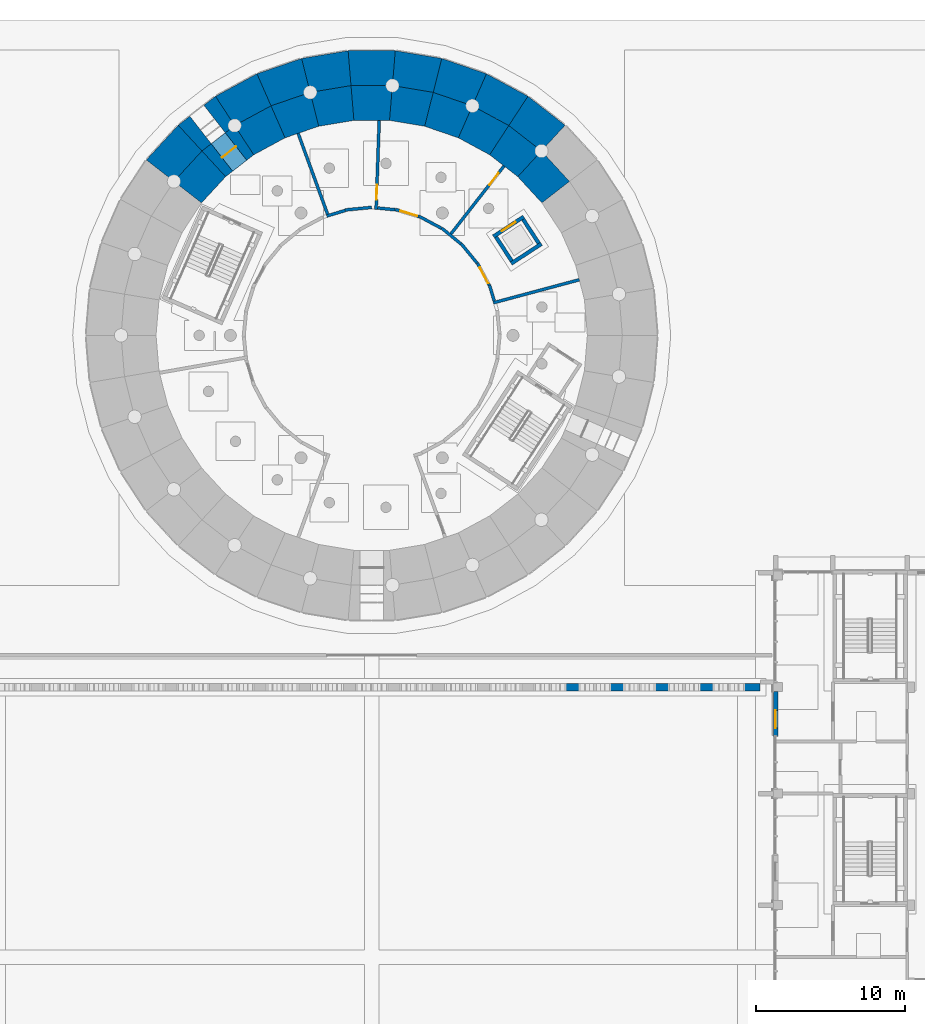
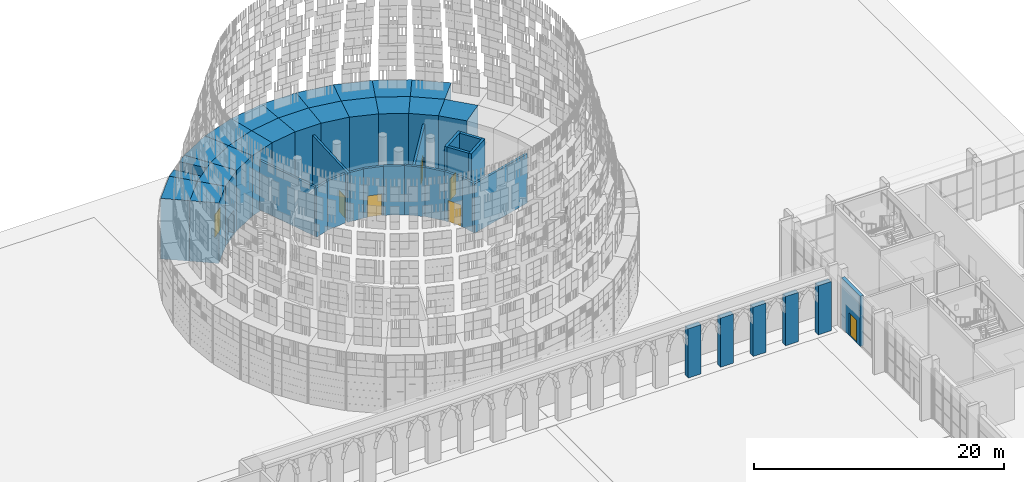
# One storey, part 58 of 125: 45 walls, 7 doors, 7 openings.
"""IFC4 building model written with IfcOpenShell, lengths in metres."""

from ifc_helpers import new_model, si_unit, direction, frame, frame_2d, origin, place, context, subcontext, project, spatial, polyline, rectangle, outline, extrude, material, layer, layer_set, type_object, element, fill, save


model = new_model("IFC4")

# Units and contexts
model_context = context("Model", 3, precision=1e-05, world=origin(), true_north=direction((0.0, 1.0)))
body_context = subcontext(model_context, "Body", "Model", "MODEL_VIEW")
ifc_project = project(units=[si_unit("LENGTHUNIT", "METRE"), si_unit("AREAUNIT", "SQUARE_METRE"), si_unit("VOLUMEUNIT", "CUBIC_METRE"), si_unit("PLANEANGLEUNIT", "RADIAN"), si_unit("MASSUNIT", "GRAM", prefix="KILO")], contexts=[model_context])

# Site, building, storey
site_placement = place(None, origin())
site = spatial("IfcSite", under=ifc_project, at=site_placement, CompositionType="ELEMENT")
building_placement = place(site_placement, origin())
building = spatial("IfcBuilding", under=site, at=building_placement, Name="Sun Court Science Centre", CompositionType="ELEMENT")
storey_placement = place(building_placement, origin())
storey = spatial("IfcBuildingStorey", under=building, at=storey_placement, Name="L00", CompositionType="ELEMENT", Elevation=0.0)

# Walls
ifc_material_1 = material(Name="Concrete C30/37", Category="concrete")
ifc_layer_1 = layer(ifc_material_1, 0.5)
ifc_layer_set_1 = layer_set([ifc_layer_1], Name="Concrete C30/37")
wall_type_1 = type_object("IfcWallType", Name="Arcade pier 500 reinforced", PredefinedType="SOLIDWALL", material=ifc_layer_set_1)
for number, where, z_axis, x_axis, name in (
    (1, (63.89990234375, 73.14990234375, 0.0), (0.0, 0.0, 1.0), (1.0, 0.0, 0.0), "Arcade pier AR2 14"),
    (2, (66.89990234375, 73.14990234375, 0.0), (0.0, 0.0, 1.0), (1.0, 0.0, 0.0), "Arcade pier AR2 15"),
    (3, (69.89990234375, 73.14990234375, 0.0), (0.0, 0.0, 1.0), (1.0, 0.0, 0.0), "Arcade pier AR2 16"),
    (4, (72.89990234375, 73.14990234375, 0.0), (0.0, 0.0, 1.0), (1.0, 0.0, 0.0), "Arcade pier AR2 17"),
    (5, (75.89990234375, 73.14990234375, 0.0), (0.0, 0.0, 1.0), (1.0, 0.0, 0.0), "Arcade pier AR2 18"),
):
    element("IfcWall", number, at=place(storey_placement, frame(where, z_axis=z_axis, x_axis=x_axis)), inside=storey, type_object=wall_type_1, Name=name, PredefinedType="SOLIDWALL", context=body_context, shape_type="SweptSolid", body=[
        extrude(rectangle(XDim=1.2001953125, YDim=0.5, at=frame_2d((0.60009765625, 0.0))), origin(), (0.0, 0.0, 1.0), 4.800048828125),
    ])

# Wall, opening, door
ifc_material_2 = material(Name="Clay masonry", Category="masonry")
ifc_layer_2 = layer(ifc_material_2, 0.300048828125)
ifc_layer_set_2 = layer_set([ifc_layer_2], Name="Clay masonry")
wall_type_2 = type_object("IfcWallType", Name="Clay masonry infill wall 300", PredefinedType="SOLIDWALL", material=ifc_layer_set_2)
wall_1_placement = place(storey_placement, frame((78.14990234375, 69.840087890625, 0.0), z_axis=(0.0, 0.0, 1.0), x_axis=(0.0, 1.0, 0.0)))
wall_1 = element("IfcWall", 6, at=wall_1_placement, inside=storey, type_object=wall_type_2, Name="External infill wall L00 west face 06", PredefinedType="SOLIDWALL", context=body_context, shape_type="SweptSolid", body=[
    extrude(rectangle(XDim=3.010009765625, YDim=0.300048828125, at=frame_2d((1.5048828125, 0.0))), origin(), (0.0, 0.0, 1.0), 4.89990234375),
])
opening_1_placement = place(wall_1_placement, frame((0.56005859375, 0.0, 0.0)))
opening_1 = element("IfcOpeningElement", 7, at=opening_1_placement, cuts=wall_1, Name="Opening D-L00-066", PredefinedType="OPENING", context=body_context, shape_type="SweptSolid", body=[
    extrude(rectangle(XDim=1.199951171875, YDim=2.199951171875, at=frame_2d((0.60009765625, 1.10009765625))), frame((0.0, 0.159912109375, 0.0), z_axis=(0.0, -1.0, 0.0), x_axis=(1.0, 0.0, 0.0)), (0.0, 0.0, 1.0), 0.320068359375),
])
ifc_material_3 = material(Name="Steel and glass", Category="steel")
door_type_1 = type_object("IfcDoorType", Name="Exterior door 1200 x 2200 single", OperationType="SINGLE_SWING_LEFT", PredefinedType="DOOR", material=ifc_material_3)
door_1_placement = place(opening_1_placement, origin())
door_1 = element("IfcDoor", 8, at=door_1_placement, inside=storey, type_object=door_type_1, Name="Exterior door D-L00-066 to the sun court", OperationType="SINGLE_SWING_LEFT", OverallHeight=2.199951171875, OverallWidth=1.199951171875, PredefinedType="DOOR", context=body_context, shape_type="SweptSolid", body=[
    extrude(rectangle(XDim=1.199951171875, YDim=2.199951171875, at=frame_2d((0.60009765625, 1.10009765625))), frame((0.0, 0.02490234375, 0.0), z_axis=(0.0, -1.0, 0.0), x_axis=(1.0, 0.0, 0.0)), (0.0, 0.0, 1.0), 0.050048828125),
])
fill(opening_1, door_1)

# Walls
ifc_material_4 = material(Name="Concrete block", Category="concrete")
ifc_layer_3 = layer(ifc_material_4, 0.199951171875)
ifc_layer_set_3 = layer_set([ifc_layer_3], Name="Concrete block")
wall_type_3 = type_object("IfcWallType", Name="Partition 200 block EI60", PredefinedType="PARTITIONING", material=ifc_layer_set_3)
wall_2_placement = place(storey_placement, frame((49.22216796875, 105.2294921875, 0.0), z_axis=(0.0, 0.0, 1.0), x_axis=(0.99518495891, 0.098014782354, 0.0)))
element("IfcWall", 9, at=wall_2_placement, inside=storey, type_object=wall_type_3, Name="L00 partition 001", PredefinedType="PARTITIONING", context=body_context, shape_type="SweptSolid", body=[
    extrude(rectangle(XDim=1.785888671875, YDim=0.199951171875, at=frame_2d((0.89306640625, 0.0))), origin(), (0.0, 0.0, 1.0), 4.800048828125),
])
wall_3_placement = place(storey_placement, frame((59.17529296875, 98.989013671875, 0.0), z_axis=(0.0, 0.0, 1.0), x_axis=(0.965923469749, 0.25882783967, 0.0)))
element("IfcWall", 10, at=wall_3_placement, inside=storey, type_object=wall_type_3, Name="L00 partition 003", PredefinedType="PARTITIONING", context=body_context, shape_type="SweptSolid", body=[
    extrude(rectangle(XDim=5.98486328125, YDim=0.199951171875, at=frame_2d((2.992431640625, 0.0))), origin(), (0.0, 0.0, 1.0), 4.800048828125),
])
wall_4_placement = place(storey_placement, frame((47.977783203125, 104.8212890625, 0.0), z_axis=(0.0, 0.0, 1.0), x_axis=(0.956954542429, 0.290237839924, 0.0)))
element("IfcWall", 11, at=wall_4_placement, inside=storey, type_object=wall_type_3, Name="L00 partition 005", PredefinedType="PARTITIONING", context=body_context, shape_type="SweptSolid", body=[
    extrude(rectangle(XDim=1.293701171875, YDim=0.199951171875, at=frame_2d((0.64697265625, 0.0))), origin(), (0.0, 0.0, 1.0), 4.800048828125),
])
wall_5_placement = place(storey_placement, frame((59.239013671875, 99.1142578125, 0.0), z_axis=(0.0, 0.0, 1.0), x_axis=(-0.290346168206, 0.956921680499, 0.0)))
element("IfcWall", 12, at=wall_5_placement, inside=storey, type_object=wall_type_3, Name="L00 partition 025", PredefinedType="PARTITIONING", context=body_context, shape_type="SweptSolid", body=[
    extrude(rectangle(XDim=1.1201171875, YDim=0.199951171875, at=frame_2d((0.56005859375, 0.0))), origin(), (0.0, 0.0, 1.0), 4.800048828125),
])

# Wall, opening, door
wall_6_placement = place(storey_placement, frame((58.89111328125, 100.19140625, 0.0), z_axis=(0.0, 0.0, 1.0), x_axis=(-0.471520219227, 0.881855250515, 0.0)))
wall_6 = element("IfcWall", 13, at=wall_6_placement, inside=storey, type_object=wall_type_3, Name="L00 partition 029", PredefinedType="PARTITIONING", context=body_context, shape_type="SweptSolid", body=[
    extrude(rectangle(XDim=1.671875, YDim=0.199951171875, at=frame_2d((0.8359375, 0.0))), origin(), (0.0, 0.0, 1.0), 4.800048828125),
])
opening_2_placement = place(wall_6_placement, frame((0.12939453125, 0.0, 0.0)))
opening_2 = element("IfcOpeningElement", 14, at=opening_2_placement, cuts=wall_6, Name="Opening D-L00-092", PredefinedType="OPENING", context=body_context, shape_type="SweptSolid", body=[
    extrude(rectangle(XDim=1.199951171875, YDim=2.10009765625, at=frame_2d((0.60009765625, 1.050048828125))), frame((0.0, 0.10986328125, 0.0), z_axis=(0.0, -1.0, 0.0), x_axis=(1.0, 0.0, 0.0)), (0.0, 0.0, 1.0), 0.219970703125),
])
ifc_material_5 = material(Name="Timber", Category="wood")
door_type_2 = type_object("IfcDoorType", Name="Door 1200x2100 single leaf", OperationType="NOTDEFINED", PredefinedType="DOOR", material=ifc_material_5)
door_2_placement = place(opening_2_placement, origin())
door_2 = element("IfcDoor", 15, at=door_2_placement, inside=storey, type_object=door_type_2, Name="Door D-L00-092", OperationType="SINGLE_SWING_RIGHT", OverallHeight=2.10009765625, OverallWidth=1.199951171875, PredefinedType="DOOR", context=body_context, shape_type="SweptSolid", body=[
    extrude(rectangle(XDim=1.199951171875, YDim=2.10009765625, at=frame_2d((0.60009765625, 1.050048828125))), frame((0.0, 0.02490234375, 0.0), z_axis=(0.0, -1.0, 0.0), x_axis=(1.0, 0.0, 0.0)), (0.0, 0.0, 1.0), 0.050048828125),
])
fill(opening_2, door_2)

# Wall
wall_7_placement = place(storey_placement, frame((58.077392578125, 101.6650390625, 0.0), z_axis=(0.0, 0.0, 1.0), x_axis=(-0.634350169953, 0.773045834269, 0.0)))
element("IfcWall", 16, at=wall_7_placement, inside=storey, type_object=wall_type_3, Name="L00 partition 031", PredefinedType="PARTITIONING", context=body_context, shape_type="SweptSolid", body=[
    extrude(rectangle(XDim=1.67236328125, YDim=0.199951171875, at=frame_2d((0.836181640625, 0.0))), origin(), (0.0, 0.0, 1.0), 4.800048828125),
])

# Wall, opening, door
ifc_material_6 = material(Name="Concrete block", Category="concrete")
ifc_layer_4 = layer(ifc_material_6, 0.199951171875)
ifc_layer_set_4 = layer_set([ifc_layer_4], Name="Concrete block")
wall_type_4 = type_object("IfcWallType", Name="Partition 200 projection room block EI180", PredefinedType="PARTITIONING", material=ifc_layer_set_4)
wall_8_placement = place(storey_placement, frame((56.330810546875, 103.626220703125, 0.0), z_axis=(0.0, 0.0, 1.0), x_axis=(0.615694810026, 0.787984708549, 0.0)))
wall_8 = element("IfcWall", 17, at=wall_8_placement, inside=storey, type_object=wall_type_4, Name="L00 partition 012", PredefinedType="PARTITIONING", context=body_context, shape_type="SweptSolid", body=[
    extrude(rectangle(XDim=5.78564453125, YDim=0.199951171875, at=frame_2d((2.892822265625, 0.0))), origin(), (0.0, 0.0, 1.0), 4.800048828125),
])
opening_3_placement = place(wall_8_placement, frame((4.184814453125, 0.0, 0.0)))
opening_3 = element("IfcOpeningElement", 18, at=opening_3_placement, cuts=wall_8, Name="Opening D-L00-094", PredefinedType="OPENING", context=body_context, shape_type="SweptSolid", body=[
    extrude(rectangle(XDim=1.0, YDim=2.10009765625, at=frame_2d((0.5, 1.050048828125))), frame((0.0, 0.10986328125, 0.0), z_axis=(0.0, -1.0, 0.0), x_axis=(1.0, 0.0, 0.0)), (0.0, 0.0, 1.0), 0.219970703125),
])
ifc_material_7 = material(Name="Steel", Category="steel")
door_type_3 = type_object("IfcDoorType", Name="Door 1000x2100 single leaf FD60", OperationType="NOTDEFINED", PredefinedType="DOOR", material=ifc_material_7)
door_3_placement = place(opening_3_placement, origin())
door_3 = element("IfcDoor", 19, at=door_3_placement, inside=storey, type_object=door_type_3, Name="Door D-L00-094", OperationType="SINGLE_SWING_LEFT", OverallHeight=2.10009765625, OverallWidth=1.0, PredefinedType="DOOR", context=body_context, shape_type="SweptSolid", body=[
    extrude(rectangle(XDim=1.0, YDim=2.10009765625, at=frame_2d((0.5, 1.050048828125))), frame((0.0, 0.02490234375, 0.0), z_axis=(0.0, -1.0, 0.0), x_axis=(1.0, 0.0, 0.0)), (0.0, 0.0, 1.0), 0.050048828125),
])
fill(opening_3, door_3)

wall_9_placement = place(storey_placement, frame((51.295654296875, 105.2705078125, 0.0), z_axis=(0.0, 0.0, 1.0), x_axis=(0.034906611571, 0.999390578537, 0.0)))
wall_9 = element("IfcWall", 20, at=wall_9_placement, inside=storey, type_object=wall_type_4, Name="L00 partition 022", PredefinedType="PARTITIONING", context=body_context, shape_type="SweptSolid", body=[
    extrude(rectangle(XDim=5.97998046875, YDim=0.199951171875, at=frame_2d((2.989990234375, 0.0))), origin(), (0.0, 0.0, 1.0), 4.800048828125),
])
opening_4_placement = place(wall_9_placement, frame((0.652099609375, 0.0, 0.0)))
opening_4 = element("IfcOpeningElement", 21, at=opening_4_placement, cuts=wall_9, Name="Opening D-L00-095", PredefinedType="OPENING", context=body_context, shape_type="SweptSolid", body=[
    extrude(rectangle(XDim=1.0, YDim=2.10009765625, at=frame_2d((0.5, 1.050048828125))), frame((0.0, 0.10986328125, 0.0), z_axis=(0.0, -1.0, 0.0), x_axis=(1.0, 0.0, 0.0)), (0.0, 0.0, 1.0), 0.219970703125),
])
door_4_placement = place(opening_4_placement, origin())
door_4 = element("IfcDoor", 22, at=door_4_placement, inside=storey, type_object=door_type_3, Name="Door D-L00-095", OperationType="SINGLE_SWING_RIGHT", OverallHeight=2.10009765625, OverallWidth=1.0, PredefinedType="DOOR", context=body_context, shape_type="SweptSolid", body=[
    extrude(rectangle(XDim=1.0, YDim=2.10009765625, at=frame_2d((0.5, 1.050048828125))), frame((0.0, 0.02490234375, 0.0), z_axis=(0.0, -1.0, 0.0), x_axis=(1.0, 0.0, 0.0)), (0.0, 0.0, 1.0), 0.050048828125),
])
fill(opening_4, door_4)

# Walls
wall_10_placement = place(storey_placement, frame((56.992919921875, 102.953125, 0.0), z_axis=(0.0, 0.0, 1.0), x_axis=(-0.772939010432, 0.634480327632, 0.0)))
element("IfcWall", 23, at=wall_10_placement, inside=storey, type_object=wall_type_4, Name="L00 partition 033", PredefinedType="PARTITIONING", context=body_context, shape_type="SweptSolid", body=[
    extrude(rectangle(XDim=1.66796875, YDim=0.199951171875, at=frame_2d((0.833984375, 0.0))), origin(), (0.0, 0.0, 1.0), 4.800048828125),
])
wall_11_placement = place(storey_placement, frame((55.68115234375, 104.002685546875, 0.0), z_axis=(0.0, 0.0, 1.0), x_axis=(-0.881917050216, 0.471404620829, 0.0)))
element("IfcWall", 24, at=wall_11_placement, inside=storey, type_object=wall_type_4, Name="L00 partition 036", PredefinedType="PARTITIONING", context=body_context, shape_type="SweptSolid", body=[
    extrude(rectangle(XDim=1.676025390625, YDim=0.199951171875, at=frame_2d((0.837890625, 0.0))), origin(), (0.0, 0.0, 1.0), 4.800048828125),
])

# Wall, opening, door
wall_12_placement = place(storey_placement, frame((54.183837890625, 104.782958984375, 0.0), z_axis=(0.0, 0.0, 1.0), x_axis=(-0.956917522804, 0.290359870764, 0.0)))
wall_12 = element("IfcWall", 25, at=wall_12_placement, inside=storey, type_object=wall_type_4, Name="L00 partition 038", PredefinedType="PARTITIONING", context=body_context, shape_type="SweptSolid", body=[
    extrude(rectangle(XDim=1.67236328125, YDim=0.199951171875, at=frame_2d((0.836181640625, 0.0))), origin(), (0.0, 0.0, 1.0), 4.800048828125),
])
opening_5_placement = place(wall_12_placement, frame((0.130859375, 0.0, 0.0)))
opening_5 = element("IfcOpeningElement", 26, at=opening_5_placement, cuts=wall_12, Name="Opening D-L00-093", PredefinedType="OPENING", context=body_context, shape_type="SweptSolid", body=[
    extrude(rectangle(XDim=1.199951171875, YDim=2.10009765625, at=frame_2d((0.60009765625, 1.050048828125))), frame((0.0, 0.10986328125, 0.0), z_axis=(0.0, -1.0, 0.0), x_axis=(1.0, 0.0, 0.0)), (0.0, 0.0, 1.0), 0.219970703125),
])
ifc_material_8 = material(Name="Steel", Category="steel")
door_type_4 = type_object("IfcDoorType", Name="Door 1200x2100 single leaf FD60", OperationType="NOTDEFINED", PredefinedType="DOOR", material=ifc_material_8)
door_5_placement = place(opening_5_placement, origin())
door_5 = element("IfcDoor", 27, at=door_5_placement, inside=storey, type_object=door_type_4, Name="Door D-L00-093", OperationType="SINGLE_SWING_RIGHT", OverallHeight=2.10009765625, OverallWidth=1.199951171875, PredefinedType="DOOR", context=body_context, shape_type="SweptSolid", body=[
    extrude(rectangle(XDim=1.199951171875, YDim=2.10009765625, at=frame_2d((0.60009765625, 1.050048828125))), frame((0.0, 0.02490234375, 0.0), z_axis=(0.0, -1.0, 0.0), x_axis=(1.0, 0.0, 0.0)), (0.0, 0.0, 1.0), 0.050048828125),
])
fill(opening_5, door_5)

# Walls
wall_13_placement = place(storey_placement, frame((52.565673828125, 105.24560546875, 0.0), z_axis=(0.0, 0.0, 1.0), x_axis=(-0.995180736898, 0.098057640743, 0.0)))
element("IfcWall", 28, at=wall_13_placement, inside=storey, type_object=wall_type_4, Name="L00 partition 040", PredefinedType="PARTITIONING", context=body_context, shape_type="SweptSolid", body=[
    extrude(rectangle(XDim=1.170166015625, YDim=0.199951171875, at=frame_2d((0.5849609375, 0.0))), origin(), (0.0, 0.0, 1.0), 4.800048828125),
])
ifc_material_9 = material(Name="Gypsum board")
ifc_layer_5 = layer(ifc_material_9, 0.199951171875)
ifc_layer_set_5 = layer_set([ifc_layer_5], Name="Gypsum board")
wall_type_5 = type_object("IfcWallType", Name="Partition 200 stud EI30", PredefinedType="PARTITIONING", material=ifc_layer_set_5)
wall_14_placement = place(storey_placement, frame((48.032958984375, 104.947998046875, 0.0), z_axis=(0.0, 0.0, 1.0), x_axis=(-0.342007679722, 0.939697157073, 0.0)))
element("IfcWall", 29, at=wall_14_placement, inside=storey, type_object=wall_type_5, Name="L00 partition 028", PredefinedType="PARTITIONING", context=body_context, shape_type="SweptSolid", body=[
    extrude(rectangle(XDim=5.77783203125, YDim=0.199951171875, at=frame_2d((2.888916015625, 0.0))), origin(), (0.0, 0.0, 1.0), 4.800048828125),
])
ifc_material_10 = material(Name="Concrete C30/37", Category="concrete")
ifc_layer_6 = layer(ifc_material_10, 2.343017578125)
ifc_layer_set_6 = layer_set([ifc_layer_6], Name="Concrete C30/37")
wall_type_6 = type_object("IfcWallType", Name="RC drum wall exterior 2343", PredefinedType="SHEAR", material=ifc_layer_set_6)
wall_15_placement = place(storey_placement, frame((63.284423828125, 110.00146484375, -0.199951171875), z_axis=(0.0, 0.0, 1.0), x_axis=(-0.789136599695, 0.614217735841, 0.0)))
element("IfcWall", 30, at=wall_15_placement, inside=storey, type_object=wall_type_6, Name="Drum wall L00 course 1 segment 5", PredefinedType="SHEAR", context=body_context, shape_type="SweptSolid", body=[
    extrude(outline(polyline([(0.0, -1.17138671875), (3.171142578125, -1.17138671875), (2.97705078125, 1.171630859375), (0.194091796875, 1.17138671875), (0.0, -1.17138671875)])), origin(), (0.0, 0.0, 1.0), 5.89990234375),
])
wall_16_placement = place(storey_placement, frame((60.94384765625, 111.84326171875, -0.199951171875), z_axis=(0.0, 0.0, 1.0), x_axis=(-0.87946790064, 0.475958203778, 0.0)))
element("IfcWall", 31, at=wall_16_placement, inside=storey, type_object=wall_type_6, Name="Drum wall L00 course 1 segment 6", PredefinedType="SHEAR", context=body_context, shape_type="SweptSolid", body=[
    extrude(outline(polyline([(0.0, -1.17138671875), (3.1708984375, -1.17138671875), (2.976806640625, 1.17138671875), (0.194091796875, 1.17138671875), (0.0, -1.17138671875)])), origin(), (0.0, 0.0, 1.0), 5.89990234375),
])
wall_17_placement = place(storey_placement, frame((58.332275390625, 113.27490234375, -0.199951171875), z_axis=(0.0, 0.0, 1.0), x_axis=(-0.945827782453, 0.324668763419, 0.0)))
element("IfcWall", 32, at=wall_17_placement, inside=storey, type_object=wall_type_6, Name="Drum wall L00 course 1 segment 7", PredefinedType="SHEAR", context=body_context, shape_type="SweptSolid", body=[
    extrude(outline(polyline([(0.0, -1.17138671875), (3.171142578125, -1.171630859375), (2.97705078125, 1.17138671875), (0.194091796875, 1.17138671875), (0.0, -1.17138671875)])), origin(), (0.0, 0.0, 1.0), 5.89990234375),
])
wall_18_placement = place(storey_placement, frame((55.5205078125, 114.257080078125, -0.199951171875), z_axis=(0.0, 0.0, 1.0), x_axis=(-0.986358525791, 0.164611234731, 0.0)))
element("IfcWall", 33, at=wall_18_placement, inside=storey, type_object=wall_type_6, Name="Drum wall L00 course 1 segment 8", PredefinedType="SHEAR", context=body_context, shape_type="SweptSolid", body=[
    extrude(outline(polyline([(0.0, -1.17138671875), (3.171142578125, -1.171142578125), (2.976806640625, 1.171630859375), (0.194091796875, 1.17138671875), (0.0, -1.17138671875)])), origin(), (0.0, 0.0, 1.0), 5.89990234375),
])
wall_19_placement = place(storey_placement, frame((52.58544921875, 114.762939453125, -0.199951171875), z_axis=(0.0, 0.0, 1.0), x_axis=(-1.0, 0.0, 0.0)))
element("IfcWall", 34, at=wall_19_placement, inside=storey, type_object=wall_type_6, Name="Drum wall L00 course 1 segment 9", PredefinedType="SHEAR", context=body_context, shape_type="SweptSolid", body=[
    extrude(outline(polyline([(0.0, -1.17138671875), (3.1708984375, -1.17138671875), (2.976806640625, 1.17138671875), (0.194091796875, 1.17138671875), (0.0, -1.17138671875)])), origin(), (0.0, 0.0, 1.0), 5.89990234375),
])
wall_20_placement = place(storey_placement, frame((49.607177734375, 114.779052734375, -0.199951171875), z_axis=(0.0, 0.0, 1.0), x_axis=(-0.986358525791, -0.164611234731, 0.0)))
element("IfcWall", 35, at=wall_20_placement, inside=storey, type_object=wall_type_6, Name="Drum wall L00 course 1 segment 10", PredefinedType="SHEAR", context=body_context, shape_type="SweptSolid", body=[
    extrude(outline(polyline([(-0.000244140625, -1.171142578125), (3.1708984375, -1.17138671875), (2.976806640625, 1.17138671875), (0.194091796875, 1.171630859375), (-0.000244140625, -1.171142578125)])), origin(), (0.0, 0.0, 1.0), 5.89990234375),
])
wall_21_placement = place(storey_placement, frame((46.6669921875, 114.304443359375, -0.199951171875), z_axis=(0.0, 0.0, 1.0), x_axis=(-0.945827782453, -0.324668763419, 0.0)))
element("IfcWall", 36, at=wall_21_placement, inside=storey, type_object=wall_type_6, Name="Drum wall L00 course 1 segment 11", PredefinedType="SHEAR", context=body_context, shape_type="SweptSolid", body=[
    extrude(outline(polyline([(0.0, -1.171630859375), (3.171142578125, -1.17138671875), (2.976806640625, 1.17138671875), (0.194091796875, 1.17138671875), (0.0, -1.171630859375)])), origin(), (0.0, 0.0, 1.0), 5.89990234375),
])
wall_22_placement = place(storey_placement, frame((43.844970703125, 113.3525390625, -0.199951171875), z_axis=(0.0, 0.0, 1.0), x_axis=(-0.87946790064, -0.475958203778, 0.0)))
element("IfcWall", 37, at=wall_22_placement, inside=storey, type_object=wall_type_6, Name="Drum wall L00 course 1 segment 12", PredefinedType="SHEAR", context=body_context, shape_type="SweptSolid", body=[
    extrude(outline(polyline([(0.0, -1.17138671875), (3.171142578125, -1.17138671875), (2.976806640625, 1.17138671875), (0.194091796875, 1.17138671875), (0.0, -1.17138671875)])), origin(), (0.0, 0.0, 1.0), 5.89990234375),
])
wall_23_placement = place(storey_placement, frame((38.85791015625, 110.132568359375, -0.199951171875), z_axis=(0.0, 0.0, 1.0), x_axis=(-0.677243324002, -0.735759118254, 0.0)))
element("IfcWall", 38, at=wall_23_placement, inside=storey, type_object=wall_type_6, Name="Drum wall L00 course 1 segment 14", PredefinedType="SHEAR", context=body_context, shape_type="SweptSolid", body=[
    extrude(outline(polyline([(0.0, -1.17138671875), (3.1708984375, -1.171630859375), (2.97705078125, 1.17138671875), (0.194091796875, 1.171630859375), (0.0, -1.17138671875)])), origin(), (0.0, 0.0, 1.0), 5.89990234375),
])
wall_24_placement = place(storey_placement, frame((63.4345703125, 106.35546875, -0.199951171875), z_axis=(0.0, 0.0, 1.0), x_axis=(-0.677288370304, 0.735717651991, 0.0)))
element("IfcWall", 39, at=wall_24_placement, inside=storey, type_object=wall_type_6, Name="Drum wall L00 course 1 inner ring segment 4", PredefinedType="SHEAR", context=body_context, shape_type="SweptSolid", body=[
    extrude(outline(polyline([(0.0, -1.17138671875), (2.782958984375, -1.17138671875), (2.5888671875, 1.17138671875), (0.1943359375, 1.17138671875), (0.0, -1.17138671875)])), origin(), (0.0, 0.0, 1.0), 5.89990234375),
])
wall_25_placement = place(storey_placement, frame((61.692138671875, 108.27197265625, -0.199951171875), z_axis=(0.0, 0.0, 1.0), x_axis=(-0.789144316107, 0.614207821797, 0.0)))
element("IfcWall", 40, at=wall_25_placement, inside=storey, type_object=wall_type_6, Name="Drum wall L00 course 1 inner ring segment 5", PredefinedType="SHEAR", context=body_context, shape_type="SweptSolid", body=[
    extrude(outline(polyline([(0.0, -1.17138671875), (2.78271484375, -1.17138671875), (2.588623046875, 1.171630859375), (0.1943359375, 1.17138671875), (0.0, -1.17138671875)])), origin(), (0.0, 0.0, 1.0), 5.89990234375),
])
wall_26_placement = place(storey_placement, frame((59.657958984375, 109.875244140625, -0.199951171875), z_axis=(0.0, 0.0, 1.0), x_axis=(-0.87946337705, 0.4759665623, 0.0)))
element("IfcWall", 41, at=wall_26_placement, inside=storey, type_object=wall_type_6, Name="Drum wall L00 course 1 inner ring segment 6", PredefinedType="SHEAR", context=body_context, shape_type="SweptSolid", body=[
    extrude(outline(polyline([(0.0, -1.17138671875), (2.78271484375, -1.17138671875), (2.58837890625, 1.17138671875), (0.194091796875, 1.17138671875), (0.0, -1.17138671875)])), origin(), (0.0, 0.0, 1.0), 5.89990234375),
])
wall_27_placement = place(storey_placement, frame((57.387939453125, 111.1220703125, -0.199951171875), z_axis=(0.0, 0.0, 1.0), x_axis=(-0.945820527965, 0.324689896485, 0.0)))
element("IfcWall", 42, at=wall_27_placement, inside=storey, type_object=wall_type_6, Name="Drum wall L00 course 1 inner ring segment 7", PredefinedType="SHEAR", context=body_context, shape_type="SweptSolid", body=[
    extrude(outline(polyline([(0.0, -1.17138671875), (2.78271484375, -1.17138671875), (2.588623046875, 1.171630859375), (0.194091796875, 1.17138671875), (0.0, -1.17138671875)])), origin(), (0.0, 0.0, 1.0), 5.89990234375),
])
wall_28_placement = place(storey_placement, frame((54.943359375, 111.97802734375, -0.199951171875), z_axis=(0.0, 0.0, 1.0), x_axis=(-0.986348836235, 0.164669284498, 0.0)))
element("IfcWall", 43, at=wall_28_placement, inside=storey, type_object=wall_type_6, Name="Drum wall L00 course 1 inner ring segment 8", PredefinedType="SHEAR", context=body_context, shape_type="SweptSolid", body=[
    extrude(outline(polyline([(0.0, -1.17138671875), (2.782958984375, -1.171142578125), (2.588623046875, 1.17138671875), (0.194091796875, 1.17138671875), (0.0, -1.17138671875)])), origin(), (0.0, 0.0, 1.0), 5.89990234375),
])
wall_29_placement = place(storey_placement, frame((52.391357421875, 112.420166015625, -0.199951171875), z_axis=(0.0, 0.0, 1.0), x_axis=(-1.0, 0.0, 0.0)))
element("IfcWall", 44, at=wall_29_placement, inside=storey, type_object=wall_type_6, Name="Drum wall L00 course 1 inner ring segment 9", PredefinedType="SHEAR", context=body_context, shape_type="SweptSolid", body=[
    extrude(outline(polyline([(0.0, -1.17138671875), (2.78271484375, -1.17138671875), (2.588623046875, 1.17138671875), (0.194091796875, 1.17138671875), (0.0, -1.17138671875)])), origin(), (0.0, 0.0, 1.0), 5.89990234375),
])
wall_30_placement = place(storey_placement, frame((49.801513671875, 112.436279296875, -0.199951171875), z_axis=(0.0, 0.0, 1.0), x_axis=(-0.986348836235, -0.164669284498, 0.0)))
element("IfcWall", 45, at=wall_30_placement, inside=storey, type_object=wall_type_6, Name="Drum wall L00 course 1 inner ring segment 10", PredefinedType="SHEAR", context=body_context, shape_type="SweptSolid", body=[
    extrude(outline(polyline([(0.0, -1.171142578125), (2.78271484375, -1.17138671875), (2.5888671875, 1.17138671875), (0.1943359375, 1.17138671875), (0.0, -1.171142578125)])), origin(), (0.0, 0.0, 1.0), 5.89990234375),
])
wall_31_placement = place(storey_placement, frame((47.244140625, 112.025634765625, -0.199951171875), z_axis=(0.0, 0.0, 1.0), x_axis=(-0.945820527965, -0.324689896485, 0.0)))
element("IfcWall", 46, at=wall_31_placement, inside=storey, type_object=wall_type_6, Name="Drum wall L00 course 1 inner ring segment 11", PredefinedType="SHEAR", context=body_context, shape_type="SweptSolid", body=[
    extrude(outline(polyline([(0.0, -1.17138671875), (2.782958984375, -1.17138671875), (2.588623046875, 1.17138671875), (0.194091796875, 1.171630859375), (0.0, -1.17138671875)])), origin(), (0.0, 0.0, 1.0), 5.89990234375),
])
wall_32_placement = place(storey_placement, frame((44.789306640625, 111.19970703125, -0.199951171875), z_axis=(0.0, 0.0, 1.0), x_axis=(-0.87946337705, -0.4759665623, 0.0)))
element("IfcWall", 47, at=wall_32_placement, inside=storey, type_object=wall_type_6, Name="Drum wall L00 course 1 inner ring segment 12", PredefinedType="SHEAR", context=body_context, shape_type="SweptSolid", body=[
    extrude(outline(polyline([(0.0, -1.17138671875), (2.78271484375, -1.17138671875), (2.588623046875, 1.17138671875), (0.194091796875, 1.17138671875), (0.0, -1.17138671875)])), origin(), (0.0, 0.0, 1.0), 5.89990234375),
])
wall_33_placement = place(storey_placement, frame((40.4501953125, 108.40283203125, -0.199951171875), z_axis=(0.0, 0.0, 1.0), x_axis=(-0.677288370304, -0.735717651991, 0.0)))
element("IfcWall", 48, at=wall_33_placement, inside=storey, type_object=wall_type_6, Name="Drum wall L00 course 1 inner ring segment 14", PredefinedType="SHEAR", context=body_context, shape_type="SweptSolid", body=[
    extrude(outline(polyline([(0.0, -1.17138671875), (2.78271484375, -1.17138671875), (2.58837890625, 1.17138671875), (0.19384765625, 1.17138671875), (0.0, -1.17138671875)])), origin(), (0.0, 0.0, 1.0), 5.89990234375),
])

# Wall, opening, door
wall_34_placement = place(storey_placement, frame((40.307861328125, 108.27197265625, -0.199951171875), z_axis=(0.0, 0.0, 1.0), x_axis=(0.789144316107, 0.614207821797, 0.0)))
wall_34 = element("IfcWall", 49, at=wall_34_placement, inside=storey, type_object=wall_type_6, Name="Drum wall L00 course 1 segment 13", PredefinedType="SHEAR", context=body_context, shape_type="SweptSolid", body=[
    extrude(outline(polyline([(2.78271484375, 1.17138671875), (0.0, 1.17138671875), (0.1943359375, -1.17138671875), (2.588623046875, -1.171630859375), (2.78271484375, 1.17138671875)])), origin(), (0.0, 0.0, 1.0), 5.89990234375),
])
opening_6_placement = place(wall_34_placement, frame((0.791015625, 0.0, 0.199951171875)))
opening_6 = element("IfcOpeningElement", 50, at=opening_6_placement, cuts=wall_34, Name="Opening D-L00-098", PredefinedType="OPENING", context=body_context, shape_type="SweptSolid", body=[
    extrude(rectangle(XDim=1.199951171875, YDim=2.199951171875, at=frame_2d((0.60009765625, 1.10009765625))), frame((0.0, 1.181396484375, 0.0), z_axis=(0.0, -1.0, 0.0), x_axis=(1.0, 0.0, 0.0)), (0.0, 0.0, 1.0), 2.36279296875),
])
door_6_placement = place(opening_6_placement, origin())
door_6 = element("IfcDoor", 51, at=door_6_placement, inside=storey, type_object=door_type_1, Name="Exterior door D-L00-098 to the sun court", OperationType="SINGLE_SWING_LEFT", OverallHeight=2.199951171875, OverallWidth=1.199951171875, PredefinedType="DOOR", context=body_context, shape_type="SweptSolid", body=[
    extrude(rectangle(XDim=1.199951171875, YDim=2.199951171875, at=frame_2d((0.60009765625, 1.10009765625))), frame((0.0, 0.02490234375, 0.0), z_axis=(0.0, -1.0, 0.0), x_axis=(1.0, 0.0, 0.0)), (0.0, 0.0, 1.0), 0.050048828125),
])
fill(opening_6, door_6)

# Walls
wall_35_placement = place(storey_placement, frame((41.218017578125, 111.94921875, -0.199951171875), z_axis=(0.0, 0.0, 1.0), x_axis=(-0.789112096856, -0.614249215381, 0.0)))
element("IfcWall", 52, at=wall_35_placement, inside=storey, type_object=wall_type_6, Name="Drum wall L00 course 1 segment 13 entrance recess", PredefinedType="SHEAR", context=body_context, shape_type="SweptSolid", body=[
    extrude(outline(polyline([(0.0, -1.17138671875), (0.0, -1.17138671875), (0.194091796875, 1.171630859375), (0.98583984375, 1.171630859375), (0.985595703125, -1.17138671875), (0.0, -1.17138671875)])), origin(), (0.0, 0.0, 1.0), 5.89990234375),
])
wall_36_placement = place(storey_placement, frame((39.4931640625, 110.606689453125, -0.199951171875), z_axis=(0.0, 0.0, 1.0), x_axis=(-0.789138708644, -0.614215026289, 0.0)))
element("IfcWall", 53, at=wall_36_placement, inside=storey, type_object=wall_type_6, Name="Drum wall L00 course 1 segment 13 entrance recess", PredefinedType="SHEAR", context=body_context, shape_type="SweptSolid", body=[
    extrude(outline(polyline([(0.791259765625, 1.17138671875), (0.9853515625, -1.17138671875), (0.0, -1.17138671875), (0.0, 1.171630859375), (0.791259765625, 1.17138671875)])), origin(), (0.0, 0.0, 1.0), 5.89990234375),
])
ifc_material_11 = material(Name="Concrete C30/37", Category="concrete")
ifc_layer_7 = layer(ifc_material_11, 0.25)
ifc_layer_set_7 = layer_set([ifc_layer_7], Name="Concrete C30/37")
wall_type_7 = type_object("IfcWallType", Name="RC shaft wall 250", PredefinedType="SHEAR", material=ifc_layer_set_7)
wall_37_placement = place(storey_placement, frame((60.37451171875, 101.625732421875, -1.39990234375), z_axis=(0.0, 0.0, 1.0), x_axis=(0.83717173143, 0.546940117467, 0.0)))
element("IfcWall", 54, at=wall_37_placement, inside=storey, type_object=wall_type_7, Name="Lift core PL1 wall S, L00", PredefinedType="SHEAR", context=body_context, shape_type="SweptSolid", body=[
    extrude(rectangle(XDim=2.425048828125, YDim=0.25, at=frame_2d((1.21240234375, 0.0))), origin(), (0.0, 0.0, 1.0), 7.099853515625),
])
wall_38_placement = place(storey_placement, frame((62.231689453125, 102.98828125, -1.39990234375), z_axis=(0.0, 0.0, 1.0), x_axis=(-0.546979396142, 0.837146068614, 0.0)))
element("IfcWall", 55, at=wall_38_placement, inside=storey, type_object=wall_type_7, Name="Lift core PL1 wall E, L00", PredefinedType="SHEAR", context=body_context, shape_type="SweptSolid", body=[
    extrude(rectangle(XDim=1.925048828125, YDim=0.25, at=frame_2d((0.96240234375, 0.0))), origin(), (0.0, 0.0, 1.0), 7.099853515625),
])

# Wall, opening, door
wall_39_placement = place(storey_placement, frame((59.18505859375, 103.446533203125, -1.39990234375), z_axis=(0.0, 0.0, 1.0), x_axis=(0.837141612847, 0.546986215586, 0.0)))
wall_39 = element("IfcWall", 56, at=wall_39_placement, inside=storey, type_object=wall_type_7, Name="Lift core PL1 wall N, L00", PredefinedType="SHEAR", context=body_context, shape_type="SweptSolid", body=[
    extrude(rectangle(XDim=2.425048828125, YDim=0.25, at=frame_2d((1.21240234375, 0.0))), origin(), (0.0, 0.0, 1.0), 7.099853515625),
])
opening_7_placement = place(wall_39_placement, frame((0.66259765625, 0.0, 1.39990234375)))
opening_7 = element("IfcOpeningElement", 57, at=opening_7_placement, cuts=wall_39, Name="Opening D-L00-088", PredefinedType="OPENING", context=body_context, shape_type="SweptSolid", body=[
    extrude(rectangle(XDim=1.10009765625, YDim=2.10009765625, at=frame_2d((0.550048828125, 1.050048828125))), frame((0.0, 0.135009765625, 0.0), z_axis=(0.0, -1.0, 0.0), x_axis=(1.0, 0.0, 0.0)), (0.0, 0.0, 1.0), 0.27001953125),
])
ifc_material_12 = material(Name="Steel", Category="steel")
door_type_5 = type_object("IfcDoorType", Name="Lift landing door 1100x2100 sliding", OperationType="DOUBLE_DOOR_SLIDING", PredefinedType="DOOR", material=ifc_material_12)
door_7_placement = place(opening_7_placement, origin())
door_7 = element("IfcDoor", 58, at=door_7_placement, inside=storey, type_object=door_type_5, Name="Lift landing door D-L00-088", OperationType="DOUBLE_DOOR_SLIDING", OverallHeight=2.10009765625, OverallWidth=1.10009765625, PredefinedType="DOOR", context=body_context, shape_type="SweptSolid", body=[
    extrude(rectangle(XDim=1.10009765625, YDim=2.10009765625, at=frame_2d((0.550048828125, 1.050048828125))), frame((0.0, 0.02490234375, 0.0), z_axis=(0.0, -1.0, 0.0), x_axis=(1.0, 0.0, 0.0)), (0.0, 0.0, 1.0), 0.050048828125),
])
fill(opening_7, door_7)

# Wall
wall_40_placement = place(storey_placement, frame((60.410888671875, 101.798828125, -1.39990234375), z_axis=(0.0, 0.0, 1.0), x_axis=(-0.547037472582, 0.837108119416, 0.0)))
element("IfcWall", 59, at=wall_40_placement, inside=storey, type_object=wall_type_7, Name="Lift core PL1 wall W, L00", PredefinedType="SHEAR", context=body_context, shape_type="SweptSolid", body=[
    extrude(rectangle(XDim=1.9248046875, YDim=0.25, at=frame_2d((0.96240234375, 0.0))), origin(), (0.0, 0.0, 1.0), 7.099853515625),
])

save(model, "model.ifc")
